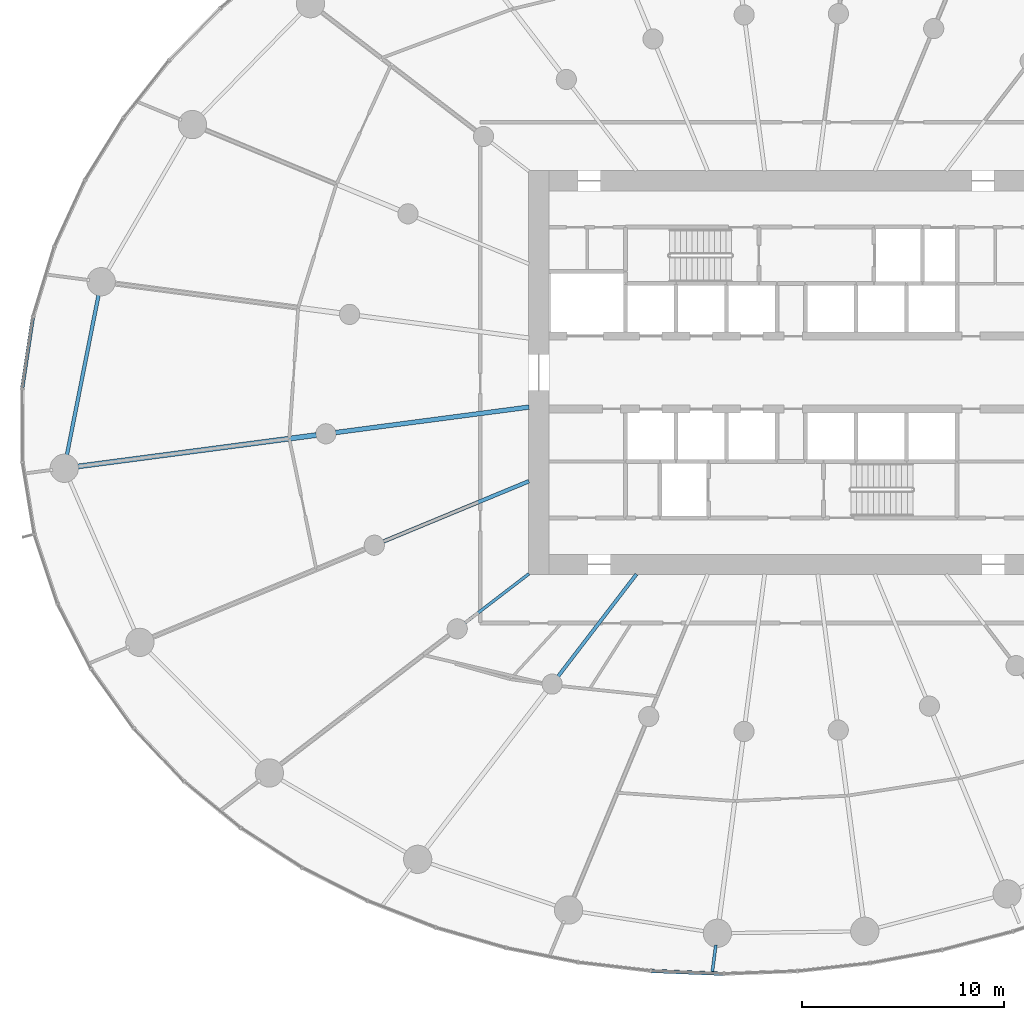
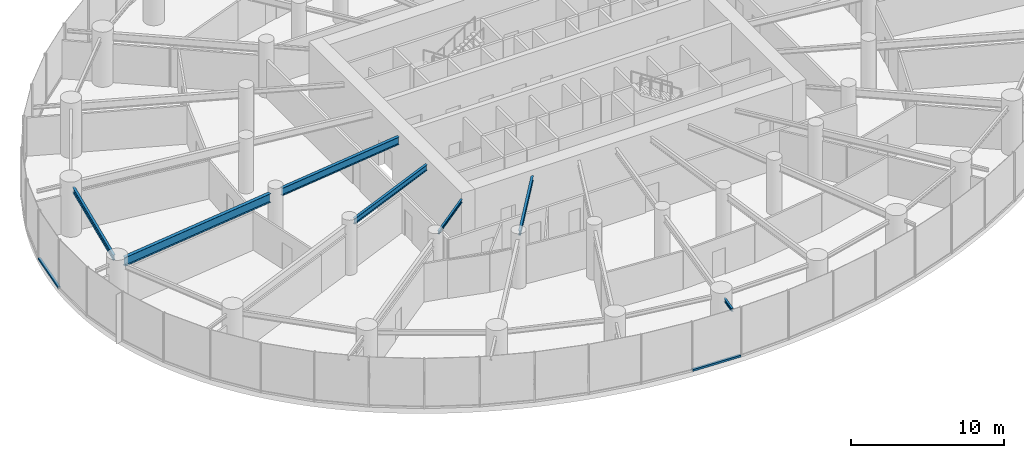
# One storey, part 3 of 19: 7 beams, 2 members, 2 elements without a shape of their own.
"""IFC4 building model written with IfcOpenShell, lengths in metres."""

import ifcopenshell
import ifcopenshell.guid

model = None  # the IFC model being written
_history = None  # IfcOwnerHistory: only IFC2X3 demands one
_inside = {}  # id of a spatial element -> (the spatial element, [elements in it])
_under = {}  # id of a project, library or spatial element -> (it, [spatial elements below it])
_declared = {}  # id of a project -> (the project, [libraries it declares])
_typed = {}  # id of a type object -> (the type object, [elements of that type])
_made_of = {}  # id of a material, layer set ... -> (it, [elements and type objects made of it])


def new_model(schema):
    """Start an empty IFC model of exactly this schema.

    Asked for "IFC4X3", IfcOpenShell would pick the latest addendum, in which some entities
    have other attributes; the version numbers below select the first issue.
    IFC2X3 requires an IfcOwnerHistory on every rooted entity: one is made here for all.
    """
    global model, _history
    if schema == "IFC4X3":
        model = ifcopenshell.file(schema_version=(4, 3, 0, 0))
    else:
        model = ifcopenshell.file(schema=schema)
    _inside.clear()
    _under.clear()
    _declared.clear()
    _typed.clear()
    _made_of.clear()
    _history = None
    if model.schema == "IFC2X3":
        org = make("IfcOrganization", Name="unknown")
        user = make(
            "IfcPersonAndOrganization",
            ThePerson=make("IfcPerson", FamilyName="unknown"),
            TheOrganization=org,
        )
        app = make(
            "IfcApplication",
            ApplicationDeveloper=org,
            Version="unknown",
            ApplicationFullName="unknown",
            ApplicationIdentifier="unknown",
        )
        _history = make(
            "IfcOwnerHistory",
            OwningUser=user,
            OwningApplication=app,
            ChangeAction="ADDED",
            CreationDate=0,
        )
    return model


def make(cls, **values):
    """One entity of the class cls with the attributes given. An attribute that is None is left unset."""
    return model.create_entity(
        cls, **{name: value for name, value in values.items() if value is not None}
    )


def rooted(cls, **values):
    """An entity with a GlobalId (a new one), such as an element, a storey or a relation."""
    return make(cls, GlobalId=ifcopenshell.guid.new(), OwnerHistory=_history, **values)


def si_unit(unit_type, name, prefix=None):
    """IfcSIUnit, for example si_unit("LENGTHUNIT", "METRE", prefix="MILLI")."""
    return make("IfcSIUnit", UnitType=unit_type, Prefix=prefix, Name=name)


def assignment(units):
    """IfcUnitAssignment: the units of a project."""
    return None if units is None else make("IfcUnitAssignment", Units=units)


def point(xyz):
    """IfcCartesianPoint."""
    return None if xyz is None else make("IfcCartesianPoint", Coordinates=xyz)


def direction(xyz):
    """IfcDirection."""
    return None if xyz is None else make("IfcDirection", DirectionRatios=xyz)


def frame(location, z_axis=None, x_axis=None):
    """IfcAxis2Placement3D, a coordinate frame: its origin and axes. An axis left out is left unset."""
    return make(
        "IfcAxis2Placement3D",
        Location=point(location),
        Axis=direction(z_axis),
        RefDirection=direction(x_axis),
    )


def frame_2d(location, x_axis=None):
    """IfcAxis2Placement2D, a coordinate frame in the plane: its origin and x axis."""
    return make(
        "IfcAxis2Placement2D", Location=point(location), RefDirection=direction(x_axis)
    )


def origin():
    """The frame at (0, 0, 0) with its axes left unset."""
    return frame((0.0, 0.0, 0.0))


def origin_2d():
    """The frame at (0, 0) in the plane with its x axis left unset."""
    return frame_2d((0.0, 0.0))


def place(relative_to, where):
    """IfcLocalPlacement: puts the frame where relative to a parent placement (None: the world)."""
    return make(
        "IfcLocalPlacement", PlacementRelTo=relative_to, RelativePlacement=where
    )


def context(
    kind, dimensions, precision=None, world=None, true_north=None, identifier=None
):
    """IfcGeometricRepresentationContext, for example the 3D "Model" context."""
    return make(
        "IfcGeometricRepresentationContext",
        ContextIdentifier=identifier,
        ContextType=kind,
        CoordinateSpaceDimension=dimensions,
        Precision=precision,
        WorldCoordinateSystem=world,
        TrueNorth=true_north,
    )


def subcontext(parent, identifier, kind, view, scale=None):
    """IfcGeometricRepresentationSubContext, for example "Body" below "Model"."""
    return make(
        "IfcGeometricRepresentationSubContext",
        ContextIdentifier=identifier,
        ContextType=kind,
        ParentContext=parent,
        TargetScale=scale,
        TargetView=view,
    )


def project(units=None, contexts=None):
    """IfcProject with its units and contexts."""
    return rooted(
        "IfcProject",
        Name="project",
        RepresentationContexts=contexts,
        UnitsInContext=assignment(units),
    )


def spatial(cls, under=None, at=None, **own):
    """A site, building, storey or space (cls), placed at a placement, below another one or the project."""
    s = rooted(cls, ObjectPlacement=at, **own)
    if under is not None:
        _under.setdefault(under.id(), (under, []))[1].append(s)
    return s


def profile(cls, at=None, kind="AREA", **sizes):
    """A parametric profile (cls). Its sizes go by their IFC names, for example OverallWidth=200.0."""
    return make(cls, ProfileType=kind, Position=at, **sizes)


def rectangle(**sizes):
    """IfcRectangleProfileDef."""
    return profile("IfcRectangleProfileDef", **sizes)


def i_section(**sizes):
    """IfcIShapeProfileDef."""
    return profile("IfcIShapeProfileDef", **sizes)


def extrude(swept, where, along, depth):
    """IfcExtrudedAreaSolid: the profile swept, set in the frame where, extruded along a direction by depth."""
    return make(
        "IfcExtrudedAreaSolid",
        SweptArea=swept,
        Position=where,
        ExtrudedDirection=direction(along),
        Depth=depth,
    )


def shape(context_of_items, identifier, shape_type, items):
    """IfcShapeRepresentation: the items that make up one representation, for example the "Body"."""
    return make(
        "IfcShapeRepresentation",
        ContextOfItems=context_of_items,
        RepresentationIdentifier=identifier,
        RepresentationType=shape_type,
        Items=items,
    )


def source(mapping_origin, context_of_items, identifier, shape_type, items):
    """IfcRepresentationMap: a shape defined once, which mapped items show again and again."""
    return make(
        "IfcRepresentationMap",
        MappingOrigin=mapping_origin,
        MappedRepresentation=shape(context_of_items, identifier, shape_type, items),
    )


def transform(
    local_origin,
    x_axis=None,
    y_axis=None,
    z_axis=None,
    scale=None,
    scale2=None,
    scale3=None,
    uniform=True,
):
    """IfcCartesianTransformationOperator3D, or its non-uniform kind. x_axis, y_axis, z_axis: its Axis1, 2, 3."""
    if uniform:
        return make(
            "IfcCartesianTransformationOperator3D",
            Axis1=direction(x_axis),
            Axis2=direction(y_axis),
            LocalOrigin=point(local_origin),
            Scale=scale,
            Axis3=direction(z_axis),
        )
    return make(
        "IfcCartesianTransformationOperator3DnonUniform",
        Axis1=direction(x_axis),
        Axis2=direction(y_axis),
        LocalOrigin=point(local_origin),
        Scale=scale,
        Axis3=direction(z_axis),
        Scale2=scale2,
        Scale3=scale3,
    )


def mapped(mapping_source, mapping_target):
    """IfcMappedItem: shows the shape of a source again, moved by a transform."""
    return make(
        "IfcMappedItem", MappingSource=mapping_source, MappingTarget=mapping_target
    )


def material(Name=None, Category=None):
    """IfcMaterial."""
    return make("IfcMaterial", Name=Name, Category=Category)


def layer(
    of_material, thickness, ventilated=None, Name=None, Category=None, Priority=None
):
    """IfcMaterialLayer: one layer of a wall or slab, of a material (None: an air gap)."""
    return make(
        "IfcMaterialLayer",
        Material=of_material,
        LayerThickness=thickness,
        IsVentilated=ventilated,
        Name=Name,
        Category=Category,
        Priority=Priority,
    )


def layer_set(layers, Name=None):
    """IfcMaterialLayerSet."""
    return make("IfcMaterialLayerSet", MaterialLayers=layers, LayerSetName=Name)


def material_profile(
    of_material, cross_section, Name=None, Category=None, Priority=None
):
    """IfcMaterialProfile: a cross section and its material."""
    return make(
        "IfcMaterialProfile",
        Name=Name,
        Material=of_material,
        Profile=cross_section,
        Priority=Priority,
        Category=Category,
    )


def profile_set(profiles, Name=None, composite=None):
    """IfcMaterialProfileSet."""
    return make(
        "IfcMaterialProfileSet",
        Name=Name,
        MaterialProfiles=profiles,
        CompositeProfile=composite,
    )


def made_of(thing, what):
    """Note that an element or type object is made of a material, layer set ...; save() writes the relation."""
    if what is not None:
        _made_of.setdefault(what.id(), (what, []))[1].append(thing)
    return thing


def type_object(cls, material=None, **own):
    """A type object (cls), such as IfcWallType, which elements share."""
    return made_of(rooted(cls, **own), material)


def element(
    cls,
    number,
    at=None,
    inside=None,
    cuts=None,
    type_object=None,
    material=None,
    context=None,
    identifier="Body",
    shape_type=None,
    held_by="IfcProductDefinitionShape",
    body=None,
    shapes=None,
    **own,
):
    """One element of the class cls, such as IfcWall. Its Tag is "e" and its number.

    at: its placement. inside: the storey or other place that contains it. cuts: it is an
    opening in that element (IfcRelVoidsElement). A single representation is given by context,
    identifier, shape_type and body (its items); several are given by shapes. held_by: the class
    of the entity that holds the representations. save() writes the other relations.
    """
    e = rooted(cls, Tag="e%d" % number, ObjectPlacement=at, **own)
    if body is not None:
        shapes = [shape(context, identifier, shape_type, body)]
    if shapes is not None:
        e.Representation = make(held_by, Representations=shapes)
    if inside is not None:
        _inside.setdefault(inside.id(), (inside, []))[1].append(e)
    if cuts is not None:
        rooted(
            "IfcRelVoidsElement", RelatingBuildingElement=cuts, RelatedOpeningElement=e
        )
    if type_object is not None:
        _typed.setdefault(type_object.id(), (type_object, []))[1].append(e)
    return made_of(e, material)


def aggregate(whole, parts):
    """IfcRelAggregates: a whole, such as a stair, and the parts it consists of."""
    return rooted("IfcRelAggregates", RelatingObject=whole, RelatedObjects=parts)


def save(model, path):
    """Write the relations noted so far, then the file.

    IfcRelAggregates (storeys below a building ...), IfcRelContainedInSpatialStructure (elements
    in a storey), IfcRelDefinesByType, IfcRelAssociatesMaterial and IfcRelDeclares: one each for
    every whole, place, type object, material and project.
    """
    for whole, parts in _under.values():
        aggregate(whole, parts)
    for where, things in _inside.values():
        rooted(
            "IfcRelContainedInSpatialStructure",
            RelatedElements=things,
            RelatingStructure=where,
        )
    for kind, things in _typed.values():
        rooted("IfcRelDefinesByType", RelatedObjects=things, RelatingType=kind)
    for what, things in _made_of.values():
        rooted("IfcRelAssociatesMaterial", RelatedObjects=things, RelatingMaterial=what)
    for by, libraries in _declared.values():
        rooted("IfcRelDeclares", RelatingContext=by, RelatedDefinitions=libraries)
    model.write(path)


model = new_model("IFC4")

# Units and contexts
model_context = context("Model", 3, precision=1e-05, world=origin(), true_north=direction((0.0, 1.0)))
body_context = subcontext(model_context, "Body", "Model", "MODEL_VIEW")
ifc_project = project(units=[si_unit("LENGTHUNIT", "METRE"), si_unit("AREAUNIT", "SQUARE_METRE"), si_unit("VOLUMEUNIT", "CUBIC_METRE"), si_unit("PLANEANGLEUNIT", "RADIAN"), si_unit("MASSUNIT", "GRAM", prefix="KILO")], contexts=[model_context])

# Site, building, storey
site_placement = place(None, origin())
site = spatial("IfcSite", under=ifc_project, at=site_placement, CompositionType="ELEMENT")
building_placement = place(site_placement, origin())
building = spatial("IfcBuilding", under=site, at=building_placement, Name="Spindrift Exchange Tower", CompositionType="ELEMENT")
storey_placement = place(building_placement, frame((0.0, 0.0, 53.39990234375)))
storey = spatial("IfcBuildingStorey", under=building, at=storey_placement, Name="L12", CompositionType="ELEMENT", Elevation=53.39990234375)

# Beams
ifc_material_1 = material(Name="Steel Grade 300", Category="steel")
ifc_material_profile_1 = material_profile(ifc_material_1, i_section(OverallWidth=0.22802734375, OverallDepth=0.60693359375, WebThickness=0.01123046875, FlangeThickness=0.017333984375, FilletRadius=0.013916015625, at=origin_2d()), Name="610UB113")
ifc_profile_set_1 = profile_set([ifc_material_profile_1], Name="Steel Grade 300")
beam_type_1 = type_object("IfcBeamType", Name="Floor Beam 610UB113 Steel Grade 300", PredefinedType="BEAM", material=ifc_profile_set_1)
shared_shape_1 = source(origin(), body_context, "Body", "SweptSolid", [
    extrude(i_section(OverallWidth=0.22802734375, OverallDepth=0.60693359375, WebThickness=0.01123046875, FlangeThickness=0.017333984375, FilletRadius=0.013916015625, at=origin_2d()), origin(), (0.0, 0.0, 1.0), 9.660400390625),
])
beam_1_placement = place(storey_placement, frame((39.019775390625, 46.291015625, 3.646484375), z_axis=(-0.99144767089, -0.130504850054, 0.0), x_axis=(0.130504850054, -0.99144767089, 0.0)))
element("IfcBeam", 1, at=beam_1_placement, inside=storey, type_object=beam_type_1, Name="L12 radial beam R13A", PredefinedType="BEAM", context=body_context, shape_type="MappedRepresentation", body=[
    mapped(shared_shape_1, transform((0.0, 0.0, 0.0), scale=1.0)),
])
ifc_material_profile_2 = material_profile(ifc_material_1, i_section(OverallWidth=0.25, OverallDepth=0.699951171875, WebThickness=0.008056640625, FlangeThickness=0.011962890625, at=origin_2d()), Name="700WB115")
ifc_profile_set_2 = profile_set([ifc_material_profile_2], Name="Steel Grade 300")
beam_type_2 = type_object("IfcBeamType", Name="Floor Beam 700WB115 Steel Grade 300", PredefinedType="BEAM", material=ifc_profile_set_2)
shared_shape_2 = source(origin(), body_context, "Body", "SweptSolid", [
    extrude(i_section(OverallWidth=0.25, OverallDepth=0.699951171875, WebThickness=0.008056640625, FlangeThickness=0.011962890625, at=origin_2d()), origin(), (0.0, 0.0, 1.0), 12.00830078125),
])
beam_2_placement = place(storey_placement, frame((28.490234375, 44.90478515625, 3.60009765625), z_axis=(-0.991444950947, -0.130525511844, 0.0), x_axis=(0.130525511844, -0.991444950947, 0.0)))
element("IfcBeam", 2, at=beam_2_placement, inside=storey, type_object=beam_type_2, Name="L12 radial beam R13B", PredefinedType="BEAM", context=body_context, shape_type="MappedRepresentation", body=[
    mapped(shared_shape_2, transform((0.0, 0.0, 0.0), scale=1.0)),
])
ifc_material_profile_3 = material_profile(ifc_material_1, i_section(OverallWidth=0.18994140625, OverallDepth=0.45703125, WebThickness=0.009033203125, FlangeThickness=0.014404296875, FilletRadius=0.013916015625, at=origin_2d()), Name="460UB74.6")
ifc_profile_set_3 = profile_set([ifc_material_profile_3], Name="Steel Grade 300")
beam_type_3 = type_object("IfcBeamType", Name="Floor Beam 460UB74.6 Steel Grade 300", PredefinedType="BEAM", material=ifc_profile_set_3)
shared_shape_3 = source(origin(), body_context, "Body", "SweptSolid", [
    extrude(i_section(OverallWidth=0.18994140625, OverallDepth=0.45703125, WebThickness=0.009033203125, FlangeThickness=0.014404296875, FilletRadius=0.013916015625, at=origin_2d()), origin(), (0.0, 0.0, 1.0), 7.808837890625),
])
beam_3_placement = place(storey_placement, frame((39.0185546875, 42.622802734375, 3.7216796875), z_axis=(-0.92387965154, -0.382683145003, 0.0), x_axis=(0.382683145003, -0.92387965154, 0.0)))
element("IfcBeam", 3, at=beam_3_placement, inside=storey, type_object=beam_type_3, Name="L12 radial beam R14A", PredefinedType="BEAM", context=body_context, shape_type="MappedRepresentation", body=[
    mapped(shared_shape_3, transform((0.0, 0.0, 0.0), scale=1.0)),
])
ifc_material_profile_4 = material_profile(ifc_material_1, i_section(OverallWidth=0.14599609375, OverallDepth=0.251953125, WebThickness=0.006103515625, FlangeThickness=0.008544921875, FilletRadius=0.011962890625, at=origin_2d()), Name="250UB31.4")
ifc_profile_set_4 = profile_set([ifc_material_profile_4], Name="Steel Grade 300")
beam_type_4 = type_object("IfcBeamType", Name="Floor Beam 250UB31.4 Steel Grade 300", PredefinedType="BEAM", material=ifc_profile_set_4)
shared_shape_4 = source(origin(), body_context, "Body", "SweptSolid", [
    extrude(i_section(OverallWidth=0.14599609375, OverallDepth=0.251953125, WebThickness=0.006103515625, FlangeThickness=0.008544921875, FilletRadius=0.011962890625, at=origin_2d()), origin(), (0.0, 0.0, 1.0), 3.99560546875),
])
beam_4_placement = place(storey_placement, frame((39.015869140625, 38.036865234375, 3.82421875), z_axis=(-0.793352561574, -0.608762443851, 0.0), x_axis=(0.608762443851, -0.793352561574, 0.0)))
element("IfcBeam", 4, at=beam_4_placement, inside=storey, type_object=beam_type_4, Name="L12 radial beam R15A", PredefinedType="BEAM", context=body_context, shape_type="MappedRepresentation", body=[
    mapped(shared_shape_4, transform((0.0, 0.0, 0.0), scale=1.0)),
])
ifc_material_profile_5 = material_profile(ifc_material_1, i_section(OverallWidth=0.172119140625, OverallDepth=0.35888671875, WebThickness=0.008056640625, FlangeThickness=0.012939453125, FilletRadius=0.013916015625, at=origin_2d()), Name="360UB56.7")
ifc_profile_set_5 = profile_set([ifc_material_profile_5], Name="Steel Grade 300")
beam_type_5 = type_object("IfcBeamType", Name="Floor Beam 360UB56.7 Steel Grade 300", PredefinedType="BEAM", material=ifc_profile_set_5)
shared_shape_5 = source(origin(), body_context, "Body", "SweptSolid", [
    extrude(i_section(OverallWidth=0.172119140625, OverallDepth=0.35888671875, WebThickness=0.008056640625, FlangeThickness=0.012939453125, FilletRadius=0.013916015625, at=origin_2d()), origin(), (0.0, 0.0, 1.0), 6.37646484375),
])
beam_5_placement = place(storey_placement, frame((44.3388671875, 38.015869140625, 3.7705078125), z_axis=(-0.608766669952, -0.793349318747, 0.0), x_axis=(0.793349318747, -0.608766669952, 0.0)))
element("IfcBeam", 5, at=beam_5_placement, inside=storey, type_object=beam_type_5, Name="L12 radial beam R16A", PredefinedType="BEAM", context=body_context, shape_type="MappedRepresentation", body=[
    mapped(shared_shape_5, transform((0.0, 0.0, 0.0), scale=1.0)),
])
ifc_material_profile_6 = material_profile(ifc_material_1, i_section(OverallWidth=0.177978515625, OverallDepth=0.406005859375, WebThickness=0.0078125, FlangeThickness=0.0126953125, FilletRadius=0.013916015625, at=origin_2d()), Name="410UB59.7")
ifc_profile_set_6 = profile_set([ifc_material_profile_6], Name="Steel Grade 300")
beam_type_6 = type_object("IfcBeamType", Name="Edge Beam 410UB59.7 Steel Grade 300", PredefinedType="SPANDREL", material=ifc_profile_set_6)
shared_shape_6 = source(origin(), body_context, "Body", "SweptSolid", [
    extrude(i_section(OverallWidth=0.177978515625, OverallDepth=0.406005859375, WebThickness=0.0078125, FlangeThickness=0.0126953125, FilletRadius=0.013916015625, at=origin_2d()), origin(), (0.0, 0.0, 1.0), 8.2548828125),
])
beam_6_placement = place(storey_placement, frame((17.72607421875, 51.928466796875, 3.7470703125), z_axis=(-0.194278723288, -0.9809463684, 0.0), x_axis=(0.9809463684, -0.194278723288, 0.0)))
element("IfcBeam", 6, at=beam_6_placement, inside=storey, type_object=beam_type_6, Name="L12 edge beam E12", PredefinedType="SPANDREL", context=body_context, shape_type="MappedRepresentation", body=[
    mapped(shared_shape_6, transform((0.0, 0.0, 0.0), scale=1.0)),
])
ifc_material_profile_7 = material_profile(ifc_material_1, i_section(OverallWidth=0.14599609375, OverallDepth=0.251953125, WebThickness=0.006103515625, FlangeThickness=0.008544921875, FilletRadius=0.011962890625, at=origin_2d()), Name="250UB31.4")
ifc_profile_set_7 = profile_set([ifc_material_profile_7], Name="Steel Grade 300")
beam_type_7 = type_object("IfcBeamType", Name="Cantilever Beam 250UB31.4 Steel Grade 300", PredefinedType="BEAM", material=ifc_profile_set_7)
shared_shape_7 = source(origin(), body_context, "Body", "SweptSolid", [
    extrude(i_section(OverallWidth=0.14599609375, OverallDepth=0.251953125, WebThickness=0.006103515625, FlangeThickness=0.008544921875, FilletRadius=0.011962890625, at=origin_2d()), origin(), (0.0, 0.0, 1.0), 1.325927734375),
])
beam_7_placement = place(storey_placement, frame((48.269287109375, 19.66357421875, 3.82421875), z_axis=(-0.130354494902, -0.99146745063, 0.0), x_axis=(0.99146745063, -0.130354494902, 0.0)))
element("IfcBeam", 7, at=beam_7_placement, inside=storey, type_object=beam_type_7, Name="L12 cantilever beam R18T", PredefinedType="BEAM", context=body_context, shape_type="MappedRepresentation", body=[
    mapped(shared_shape_7, transform((0.0, 0.0, 0.0), scale=1.0)),
])

# Curtain wall, member
ifc_material_2 = material(Name="Fritted laminated glass with bronze frame", Category="glass")
ifc_layer = layer(ifc_material_2, 0.199951171875)
ifc_layer_set = layer_set([ifc_layer], Name="ZONE 1 BRONZE FRITTED WALL")
curtain_wall_type = type_object("IfcCurtainWallType", Name="ZONE 1 BRONZE FRITTED WALL", PredefinedType="NOTDEFINED", material=ifc_layer_set)
curtain_wall_1_placement = place(storey_placement, origin())
curtain_wall_1 = element("IfcCurtainWall", 8, at=curtain_wall_1_placement, inside=storey, type_object=curtain_wall_type, Name="L12 Zone 1 Bronze Fritted Wall run 7", PredefinedType="NOTDEFINED")
ifc_material_3 = material(Name="Bronze anodised aluminium", Category="aluminium")
ifc_material_profile_8 = material_profile(ifc_material_3, rectangle(XDim=0.179931640625, YDim=0.14990234375, at=origin_2d()), Name="ZONE 1 BRONZE FRITTED WALL TRANSOM 180X150")
ifc_profile_set_8 = profile_set([ifc_material_profile_8], Name="Bronze anodised aluminium")
member_type = type_object("IfcMemberType", Name="ZONE 1 BRONZE FRITTED WALL TRANSOM 180X150", PredefinedType="USERDEFINED", material=ifc_profile_set_8)
shared_shape_8 = source(origin(), body_context, "Body", "SweptSolid", [
    extrude(rectangle(XDim=0.179931640625, YDim=0.14990234375, at=origin_2d()), origin(), (0.0, 0.0, 1.0), 3.54736328125),
])
member_1_placement = place(storey_placement, frame((45.087646484375, 18.3740234375, 0.0751953125), z_axis=(0.999213987804, -0.039640970933, 0.0), x_axis=(0.039640970933, 0.999213987804, 0.0)))
member_1 = element("IfcMember", 9, at=member_1_placement, type_object=member_type, Name="L12 transom CW-1.42", ObjectType="TRANSOM", PredefinedType="USERDEFINED", context=body_context, shape_type="MappedRepresentation", body=[
    mapped(shared_shape_8, transform((0.0, 0.0, 0.0), scale=1.0)),
])
aggregate(curtain_wall_1, [member_1])

curtain_wall_2_placement = place(storey_placement, origin())
curtain_wall_2 = element("IfcCurtainWall", 10, at=curtain_wall_2_placement, inside=storey, type_object=curtain_wall_type, Name="L12 Zone 1 Bronze Fritted Wall run 5", PredefinedType="NOTDEFINED")
shared_shape_9 = source(origin(), body_context, "Body", "SweptSolid", [
    extrude(rectangle(XDim=0.179931640625, YDim=0.14990234375, at=origin_2d()), origin(), (0.0, 0.0, 1.0), 3.544677734375),
])
member_2_placement = place(storey_placement, frame((14.45556640625, 50.7294921875, 0.0751953125), z_axis=(-0.149111659052, -0.988820364442, 0.0), x_axis=(0.988820364442, -0.149111659052, 0.0)))
member_2 = element("IfcMember", 11, at=member_2_placement, type_object=member_type, Name="L12 transom CW-1.28", ObjectType="TRANSOM", PredefinedType="USERDEFINED", context=body_context, shape_type="MappedRepresentation", body=[
    mapped(shared_shape_9, transform((0.0, 0.0, 0.0), scale=1.0)),
])
aggregate(curtain_wall_2, [member_2])

save(model, "model.ifc")
